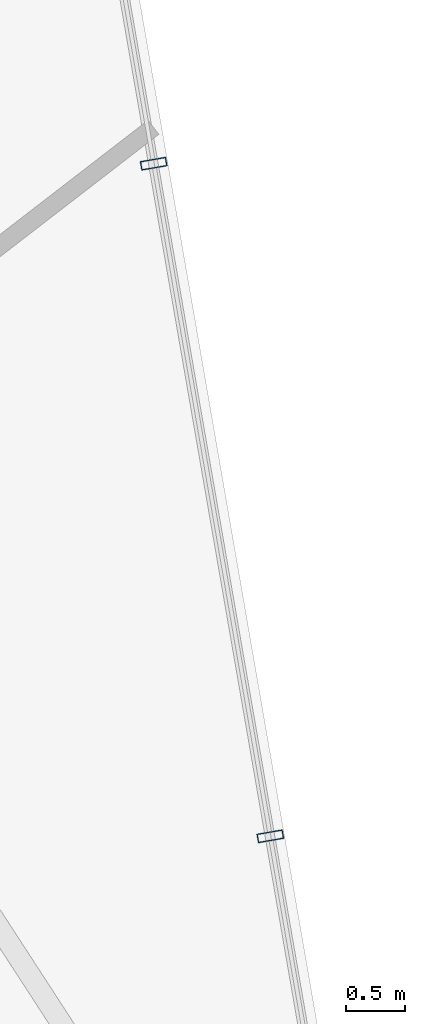
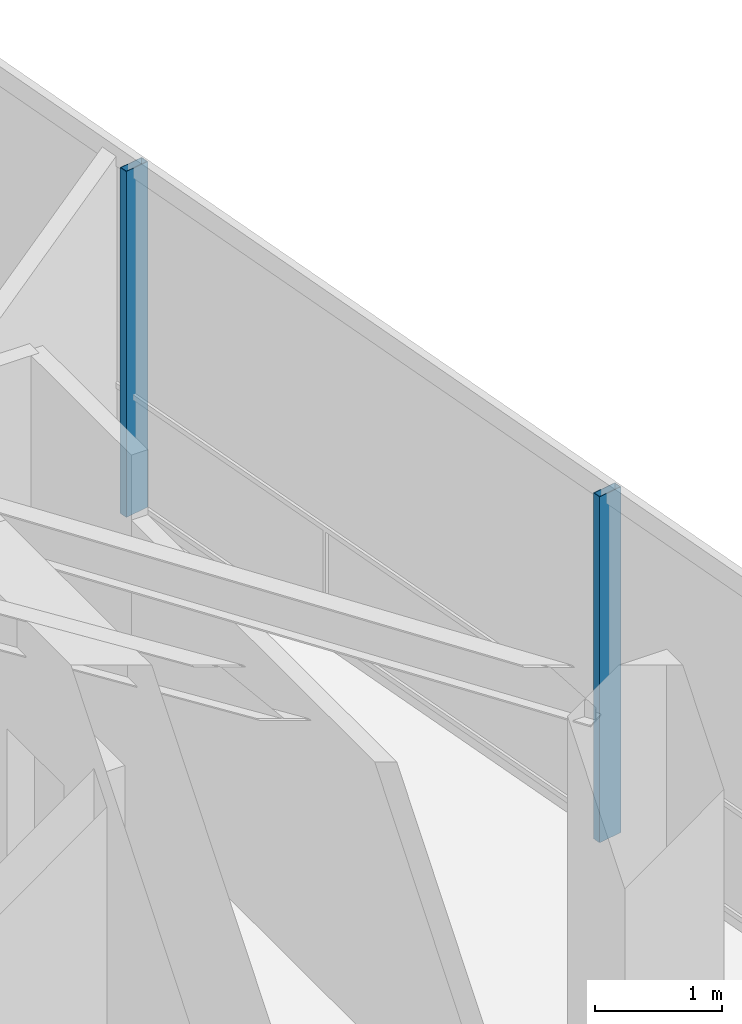
# One storey, part 11 of 18: 2 members, 1 element without a shape of its own.
"""IFC4 building model written with IfcOpenShell, lengths in metres."""

from ifc_helpers import new_model, si_unit, direction, frame, origin, origin_2d, place, context, subcontext, project, spatial, hollow_rectangle, extrude, material, layer, layer_set, material_profile, profile_set, type_object, element, aggregate, save


model = new_model("IFC4")

# Units and contexts
model_context = context("Model", 3, precision=1e-05, world=origin(), true_north=direction((0.0, 1.0)))
body_context = subcontext(model_context, "Body", "Model", "MODEL_VIEW")
ifc_project = project(units=[si_unit("LENGTHUNIT", "METRE"), si_unit("AREAUNIT", "SQUARE_METRE"), si_unit("VOLUMEUNIT", "CUBIC_METRE"), si_unit("PLANEANGLEUNIT", "RADIAN"), si_unit("MASSUNIT", "GRAM", prefix="KILO")], contexts=[model_context])

# Site, building, storey
site_placement = place(None, origin())
site = spatial("IfcSite", under=ifc_project, at=site_placement, CompositionType="ELEMENT")
building_placement = place(site_placement, origin())
building = spatial("IfcBuilding", under=site, at=building_placement, Name="Qarnah Convention Tower", CompositionType="ELEMENT")
storey_placement = place(building_placement, frame((0.0, 0.0, 216.60009765625)))
storey = spatial("IfcBuildingStorey", under=building, at=storey_placement, Name="L58", CompositionType="ELEMENT", Elevation=216.60009765625)

# Curtain wall, members
ifc_material_1 = material(Name="Tempered Low-E dark glass", Category="glass")
ifc_layer = layer(ifc_material_1, 0.174072265625)
ifc_layer_set = layer_set([ifc_layer], Name="Tempered Low-E dark glass")
curtain_wall_type = type_object("IfcCurtainWallType", Name="CWS-04", PredefinedType="NOTDEFINED", material=ifc_layer_set)
curtain_wall_placement = place(storey_placement, origin())
curtain_wall = element("IfcCurtainWall", 1, at=curtain_wall_placement, inside=storey, type_object=curtain_wall_type, Name="L58 unitised curtain wall CW-L58-F3", PredefinedType="NOTDEFINED")
ifc_material_2 = material(Name="Black anodised aluminium", Category="aluminium")
ifc_material_profile = material_profile(ifc_material_2, hollow_rectangle(XDim=0.074951171875, YDim=0.219970703125, WallThickness=0.0048828125, at=origin_2d()), Name="MUL-75X220")
ifc_profile_set = profile_set([ifc_material_profile], Name="Black anodised aluminium")
member_type = type_object("IfcMemberType", Name="MUL-T4", PredefinedType="MULLION", material=ifc_profile_set)
member_1_placement = place(storey_placement, frame((51.186279296875, 37.64111328125, 0.0), z_axis=(0.0, 0.0, 1.0), x_axis=(0.17088479705, -0.985291015963, 0.0)))
member_1 = element("IfcMember", 2, at=member_1_placement, type_object=member_type, Name="CW-L58-F3 mullion 2", PredefinedType="MULLION", context=body_context, shape_type="SweptSolid", body=[
    extrude(hollow_rectangle(XDim=0.074951171875, YDim=0.219970703125, WallThickness=0.0048828125, at=origin_2d()), origin(), (0.0, 0.0, 1.0), 3.31982421875),
])
member_2_placement = place(storey_placement, frame((52.1787109375, 31.9189453125, 0.0), z_axis=(0.0, 0.0, 1.0), x_axis=(0.17088479705, -0.985291015963, 0.0)))
member_2 = element("IfcMember", 3, at=member_2_placement, type_object=member_type, Name="CW-L58-F3 mullion 3", PredefinedType="MULLION", context=body_context, shape_type="SweptSolid", body=[
    extrude(hollow_rectangle(XDim=0.074951171875, YDim=0.219970703125, WallThickness=0.0048828125, at=origin_2d()), origin(), (0.0, 0.0, 1.0), 3.31982421875),
])
aggregate(curtain_wall, [member_1, member_2])

save(model, "model.ifc")
